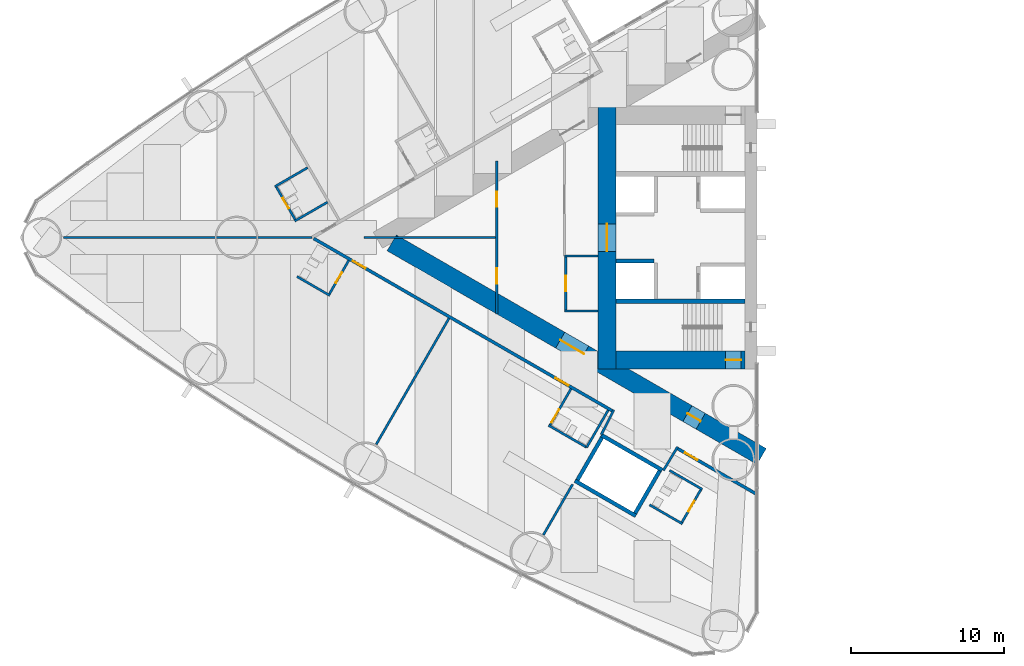
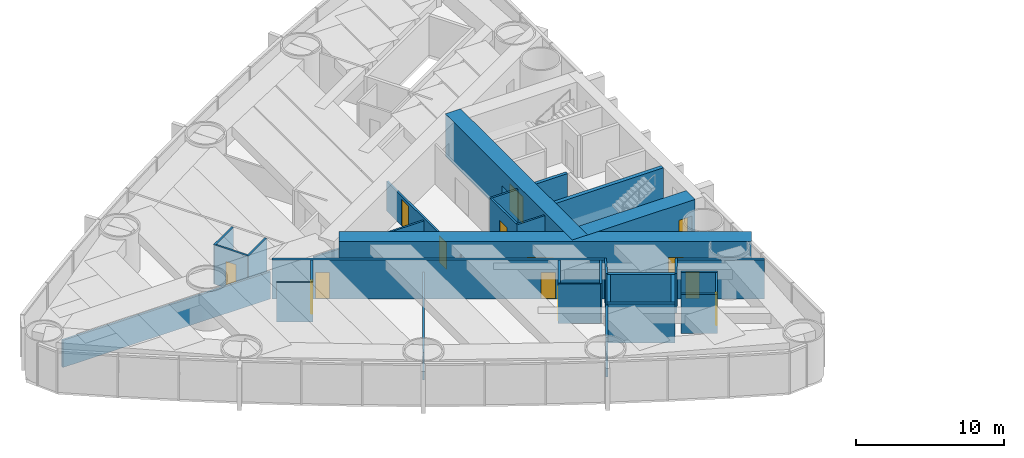
# One storey, part 11 of 19: 32 walls, 14 doors, 14 openings.
"""IFC4 building model written with IfcOpenShell, lengths in metres."""

from ifc_helpers import new_model, si_unit, direction, frame, frame_2d, origin, place, context, subcontext, project, spatial, rectangle, extrude, material, layer, layer_set, type_object, element, fill, save


model = new_model("IFC4")

# Units and contexts
model_context = context("Model", 3, precision=1e-05, world=origin(), true_north=direction((0.0, 1.0)))
body_context = subcontext(model_context, "Body", "Model", "MODEL_VIEW")
ifc_project = project(units=[si_unit("LENGTHUNIT", "METRE"), si_unit("AREAUNIT", "SQUARE_METRE"), si_unit("VOLUMEUNIT", "CUBIC_METRE"), si_unit("PLANEANGLEUNIT", "RADIAN"), si_unit("MASSUNIT", "GRAM", prefix="KILO")], contexts=[model_context])

# Site, building, storey
site_placement = place(None, origin())
site = spatial("IfcSite", under=ifc_project, at=site_placement, CompositionType="ELEMENT")
building_placement = place(site_placement, origin())
building = spatial("IfcBuilding", under=site, at=building_placement, Name="Lancet Gate Hotel", CompositionType="ELEMENT")
storey_placement = place(building_placement, frame((0.0, 0.0, 67.0)))
storey = spatial("IfcBuildingStorey", under=building, at=storey_placement, Name="L17", CompositionType="ELEMENT", Elevation=67.0)

# Wall
ifc_material_1 = material(Name="Moisture resistant board partition")
ifc_layer_1 = layer(ifc_material_1, 0.14990234375)
ifc_layer_set_1 = layer_set([ifc_layer_1], Name="Bathroom wall 150")
wall_type_1 = type_object("IfcWallType", Name="Bathroom wall 150", PredefinedType="PARTITIONING", material=ifc_layer_set_1)
wall_1_placement = place(storey_placement, frame((-56.861083984375, 4.565185546875, 0.0), z_axis=(0.0, 0.0, 1.0), x_axis=(-0.86604923931, -0.499958713387, 0.0)))
element("IfcWall", 1, at=wall_1_placement, inside=storey, type_object=wall_type_1, Name="T1 bathroom wall 150 L17", PredefinedType="PARTITIONING", context=body_context, shape_type="SweptSolid", body=[
    extrude(rectangle(XDim=2.474853515625, YDim=0.14990234375, at=frame_2d((1.2373046875, 0.0))), origin(), (0.0, 0.0, 1.0), 3.25),
])

# Wall, opening, door
wall_2_placement = place(storey_placement, frame((-57.639404296875, 1.113525390625, 0.0), z_axis=(0.0, 0.0, 1.0), x_axis=(-0.500006934395, 0.866021400173, 0.0)))
wall_2 = element("IfcWall", 2, at=wall_2_placement, inside=storey, type_object=wall_type_1, Name="T1 bathroom wall 150 L17", PredefinedType="PARTITIONING", context=body_context, shape_type="SweptSolid", body=[
    extrude(rectangle(XDim=2.60009765625, YDim=0.14990234375, at=frame_2d((1.300048828125, 0.0))), origin(), (0.0, 0.0, 1.0), 3.25),
])
opening_1_placement = place(wall_2_placement, frame((0.89990234375, 0.0, 0.0)))
opening_1 = element("IfcOpeningElement", 3, at=opening_1_placement, cuts=wall_2, Name="Opening 1704-B", PredefinedType="OPENING", context=body_context, shape_type="SweptSolid", body=[
    extrude(rectangle(XDim=0.800048828125, YDim=2.199951171875, at=frame_2d((0.39990234375, 1.10009765625))), frame((0.0, 0.0849609375, 0.0), z_axis=(0.0, -1.0, 0.0), x_axis=(1.0, 0.0, 0.0)), (0.0, 0.0, 1.0), 0.169921875),
])
ifc_material_2 = material(Name="Timber door set", Category="wood")
door_type_1 = type_object("IfcDoorType", Name="Bathroom door 800", OperationType="SINGLE_SWING_RIGHT", PredefinedType="DOOR", material=ifc_material_2)
door_1_placement = place(opening_1_placement, origin())
door_1 = element("IfcDoor", 4, at=door_1_placement, inside=storey, type_object=door_type_1, Name="1704-B", OperationType="SINGLE_SWING_RIGHT", OverallHeight=2.199951171875, OverallWidth=0.800048828125, PredefinedType="DOOR", context=body_context, shape_type="SweptSolid", body=[
    extrude(rectangle(XDim=0.800048828125, YDim=2.199951171875, at=frame_2d((0.39990234375, 1.10009765625))), frame((0.0, 0.02490234375, 0.0), z_axis=(0.0, -1.0, 0.0), x_axis=(1.0, 0.0, 0.0)), (0.0, 0.0, 1.0), 0.050048828125),
])
fill(opening_1, door_1)

# Walls
for number, where, z_axis, x_axis, name in (
    (5, (-55.56103515625, 2.3134765625, 0.0), (0.0, 0.0, 1.0), (-0.86604923931, -0.499958713387, 0.0), "T1 bathroom wall 150 L17"),
    (6, (-55.4111328125, -3.785888671875, 0.0), (0.0, 0.0, 1.0), (-0.866006523861, 0.500032699561, 0.0), "T1 bathroom wall 150 L17"),
):
    element("IfcWall", number, at=place(storey_placement, frame(where, z_axis=z_axis, x_axis=x_axis)), inside=storey, type_object=wall_type_1, Name=name, PredefinedType="PARTITIONING", context=body_context, shape_type="SweptSolid", body=[
        extrude(rectangle(XDim=2.474853515625, YDim=0.14990234375, at=frame_2d((1.2373046875, 0.0))), origin(), (0.0, 0.0, 1.0), 3.25),
    ])

# Wall, opening, door
wall_3_placement = place(storey_placement, frame((-54.176025390625, -1.49658203125, 0.0), z_axis=(0.0, 0.0, 1.0), x_axis=(-0.500006934395, -0.866021400173, 0.0)))
wall_3 = element("IfcWall", 7, at=wall_3_placement, inside=storey, type_object=wall_type_1, Name="T1 bathroom wall 150 L17", PredefinedType="PARTITIONING", context=body_context, shape_type="SweptSolid", body=[
    extrude(rectangle(XDim=2.60009765625, YDim=0.14990234375, at=frame_2d((1.300048828125, 0.0))), origin(), (0.0, 0.0, 1.0), 3.25),
])
opening_2_placement = place(wall_3_placement, frame((0.89990234375, 0.0, 0.0)))
opening_2 = element("IfcOpeningElement", 8, at=opening_2_placement, cuts=wall_3, Name="Opening 1705-B", PredefinedType="OPENING", context=body_context, shape_type="SweptSolid", body=[
    extrude(rectangle(XDim=0.800048828125, YDim=2.199951171875, at=frame_2d((0.39990234375, 1.10009765625))), frame((0.0, 0.0849609375, 0.0), z_axis=(0.0, -1.0, 0.0), x_axis=(1.0, 0.0, 0.0)), (0.0, 0.0, 1.0), 0.169921875),
])
door_2_placement = place(opening_2_placement, origin())
door_2 = element("IfcDoor", 9, at=door_2_placement, inside=storey, type_object=door_type_1, Name="1705-B", OperationType="SINGLE_SWING_RIGHT", OverallHeight=2.199951171875, OverallWidth=0.800048828125, PredefinedType="DOOR", context=body_context, shape_type="SweptSolid", body=[
    extrude(rectangle(XDim=0.800048828125, YDim=2.199951171875, at=frame_2d((0.39990234375, 1.10009765625))), frame((0.0, 0.02490234375, 0.0), z_axis=(0.0, -1.0, 0.0), x_axis=(1.0, 0.0, 0.0)), (0.0, 0.0, 1.0), 0.050048828125),
])
fill(opening_2, door_2)

# Wall
wall_4_placement = place(storey_placement, frame((-38.630126953125, -13.705322265625, 0.0), z_axis=(0.0, 0.0, 1.0), x_axis=(-0.866018712932, 0.500011588718, 0.0)))
element("IfcWall", 10, at=wall_4_placement, inside=storey, type_object=wall_type_1, Name="T1 bathroom wall 150 L17", PredefinedType="PARTITIONING", context=body_context, shape_type="SweptSolid", body=[
    extrude(rectangle(XDim=2.875, YDim=0.14990234375, at=frame_2d((1.4375, 0.0))), origin(), (0.0, 0.0, 1.0), 3.25),
])

# Wall, opening, door
wall_5_placement = place(storey_placement, frame((-39.65478515625, -9.88037109375, 0.0), z_axis=(0.0, 0.0, 1.0), x_axis=(-0.500049511043, -0.865996816683, 0.0)))
wall_5 = element("IfcWall", 11, at=wall_5_placement, inside=storey, type_object=wall_type_1, Name="T1 bathroom wall 150 L17", PredefinedType="PARTITIONING", context=body_context, shape_type="SweptSolid", body=[
    extrude(rectangle(XDim=2.800048828125, YDim=0.14990234375, at=frame_2d((1.39990234375, 0.0))), origin(), (0.0, 0.0, 1.0), 3.25),
])
opening_3_placement = place(wall_5_placement, frame((1.550048828125, 0.0, 0.0)))
opening_3 = element("IfcOpeningElement", 12, at=opening_3_placement, cuts=wall_5, Name="Opening 1707-B", PredefinedType="OPENING", context=body_context, shape_type="SweptSolid", body=[
    extrude(rectangle(XDim=1.0, YDim=2.199951171875, at=frame_2d((0.5, 1.10009765625))), frame((0.0, 0.0849609375, 0.0), z_axis=(0.0, -1.0, 0.0), x_axis=(1.0, 0.0, 0.0)), (0.0, 0.0, 1.0), 0.169921875),
])
ifc_material_3 = material(Name="Timber door set", Category="wood")
door_type_2 = type_object("IfcDoorType", Name="Accessible en-suite door 1000", OperationType="SINGLE_SWING_RIGHT", PredefinedType="DOOR", material=ifc_material_3)
door_3_placement = place(opening_3_placement, origin())
door_3 = element("IfcDoor", 13, at=door_3_placement, inside=storey, type_object=door_type_2, Name="1707-B", OperationType="SINGLE_SWING_RIGHT", OverallHeight=2.199951171875, OverallWidth=1.0, PredefinedType="DOOR", context=body_context, shape_type="SweptSolid", body=[
    extrude(rectangle(XDim=1.0, YDim=2.199951171875, at=frame_2d((0.5, 1.10009765625))), frame((0.0, 0.02490234375, 0.0), z_axis=(0.0, -1.0, 0.0), x_axis=(1.0, 0.0, 0.0)), (0.0, 0.0, 1.0), 0.050048828125),
])
fill(opening_3, door_3)

# Walls
wall_6_placement = place(storey_placement, frame((-37.22998046875, -11.280517578125, 0.0), z_axis=(0.0, 0.0, 1.0), x_axis=(-0.500049511043, -0.865996816683, 0.0)))
element("IfcWall", 14, at=wall_6_placement, inside=storey, type_object=wall_type_1, Name="T1 bathroom wall 150 L17", PredefinedType="PARTITIONING", context=body_context, shape_type="SweptSolid", body=[
    extrude(rectangle(XDim=2.800048828125, YDim=0.14990234375, at=frame_2d((1.39990234375, 0.0))), origin(), (0.0, 0.0, 1.0), 3.25),
])
wall_7_placement = place(storey_placement, frame((-32.3759765625, -18.70166015625, 0.0), z_axis=(0.0, 0.0, 1.0), x_axis=(-0.866006523861, 0.500032699561, 0.0)))
element("IfcWall", 15, at=wall_7_placement, inside=storey, type_object=wall_type_1, Name="T1 bathroom wall 150 L17", PredefinedType="PARTITIONING", context=body_context, shape_type="SweptSolid", body=[
    extrude(rectangle(XDim=2.474853515625, YDim=0.14990234375, at=frame_2d((1.2373046875, 0.0))), origin(), (0.0, 0.0, 1.0), 3.25),
])

# Wall, opening, door
wall_8_placement = place(storey_placement, frame((-31.140869140625, -16.41259765625, 0.0), z_axis=(0.0, 0.0, 1.0), x_axis=(-0.500006934395, -0.866021400173, 0.0)))
wall_8 = element("IfcWall", 16, at=wall_8_placement, inside=storey, type_object=wall_type_1, Name="T1 bathroom wall 150 L17", PredefinedType="PARTITIONING", context=body_context, shape_type="SweptSolid", body=[
    extrude(rectangle(XDim=2.60009765625, YDim=0.14990234375, at=frame_2d((1.300048828125, 0.0))), origin(), (0.0, 0.0, 1.0), 3.25),
])
opening_4_placement = place(wall_8_placement, frame((0.89990234375, 0.0, 0.0)))
opening_4 = element("IfcOpeningElement", 17, at=opening_4_placement, cuts=wall_8, Name="Opening 1708-B", PredefinedType="OPENING", context=body_context, shape_type="SweptSolid", body=[
    extrude(rectangle(XDim=0.800048828125, YDim=2.199951171875, at=frame_2d((0.39990234375, 1.10009765625))), frame((0.0, 0.0849609375, 0.0), z_axis=(0.0, -1.0, 0.0), x_axis=(1.0, 0.0, 0.0)), (0.0, 0.0, 1.0), 0.169921875),
])
door_4_placement = place(opening_4_placement, origin())
door_4 = element("IfcDoor", 18, at=door_4_placement, inside=storey, type_object=door_type_1, Name="1708-B", OperationType="SINGLE_SWING_RIGHT", OverallHeight=2.199951171875, OverallWidth=0.800048828125, PredefinedType="DOOR", context=body_context, shape_type="SweptSolid", body=[
    extrude(rectangle(XDim=0.800048828125, YDim=2.199951171875, at=frame_2d((0.39990234375, 1.10009765625))), frame((0.0, 0.02490234375, 0.0), z_axis=(0.0, -1.0, 0.0), x_axis=(1.0, 0.0, 0.0)), (0.0, 0.0, 1.0), 0.050048828125),
])
fill(opening_4, door_4)

# Wall
wall_9_placement = place(storey_placement, frame((-31.075927734375, -16.449951171875, 0.0), z_axis=(0.0, 0.0, 1.0), x_axis=(-0.866073894602, 0.499916002032, 0.0)))
element("IfcWall", 19, at=wall_9_placement, inside=storey, type_object=wall_type_1, Name="T1 bathroom wall 150 L17", PredefinedType="PARTITIONING", context=body_context, shape_type="SweptSolid", body=[
    extrude(rectangle(XDim=2.47509765625, YDim=0.14990234375, at=frame_2d((1.237548828125, 0.0))), origin(), (0.0, 0.0, 1.0), 3.25),
])

# Wall, openings, doors
ifc_material_4 = material(Name="Concrete C70/85", Category="concrete")
ifc_layer_2 = layer(ifc_material_4, 1.199951171875)
ifc_layer_set_2 = layer_set([ifc_layer_2], Name="Buttress wall 1200")
wall_type_2 = type_object("IfcWallType", Name="Buttress wall 1200", PredefinedType="SHEAR", material=ifc_layer_set_2)
wall_10_placement = place(storey_placement, frame((-27.199951171875, -14.300048828125, 0.0), z_axis=(0.0, 0.0, 1.0), x_axis=(-0.866024021859, 0.500002393557, 0.0)))
wall_10 = element("IfcWall", 20, at=wall_10_placement, inside=storey, type_object=wall_type_2, Name="T1 buttress wall N L17", PredefinedType="SHEAR", context=body_context, shape_type="SweptSolid", body=[
    extrude(rectangle(XDim=27.906982421875, YDim=1.199951171875, at=frame_2d((13.95361328125, 0.0))), origin(), (0.0, 0.0, 1.0), 3.5),
])
opening_5_placement = place(wall_10_placement, frame((4.60009765625, 0.0, 0.0)))
opening_5 = element("IfcOpeningElement", 21, at=opening_5_placement, cuts=wall_10, Name="Opening T1-L17-LN", PredefinedType="OPENING", context=body_context, shape_type="SweptSolid", body=[
    extrude(rectangle(XDim=1.0, YDim=2.199951171875, at=frame_2d((0.5, 1.10009765625))), frame((0.0, 0.60986328125, 0.0), z_axis=(0.0, -1.0, 0.0), x_axis=(1.0, 0.0, 0.0)), (0.0, 0.0, 1.0), 1.219970703125),
])
opening_6_placement = place(wall_10_placement, frame((13.39453125, 0.0, 0.0)))
opening_6 = element("IfcOpeningElement", 22, at=opening_6_placement, cuts=wall_10, Name="Opening T1-L17-LHN", PredefinedType="OPENING", context=body_context, shape_type="SweptSolid", body=[
    extrude(rectangle(XDim=1.800048828125, YDim=2.199951171875, at=frame_2d((0.89990234375, 1.10009765625))), frame((0.0, 0.60986328125, 0.0), z_axis=(0.0, -1.0, 0.0), x_axis=(1.0, 0.0, 0.0)), (0.0, 0.0, 1.0), 1.219970703125),
])
ifc_material_5 = material(Name="Timber door set", Category="wood")
door_type_3 = type_object("IfcDoorType", Name="Lobby double door 1800", OperationType="DOUBLE_DOOR_SINGLE_SWING", PredefinedType="DOOR", material=ifc_material_5)
door_5_placement = place(opening_6_placement, origin())
door_5 = element("IfcDoor", 23, at=door_5_placement, inside=storey, type_object=door_type_3, Name="T1-L17-LHN", OperationType="DOUBLE_DOOR_SINGLE_SWING", OverallHeight=2.199951171875, OverallWidth=1.800048828125, PredefinedType="DOOR", context=body_context, shape_type="SweptSolid", body=[
    extrude(rectangle(XDim=1.800048828125, YDim=2.199951171875, at=frame_2d((0.89990234375, 1.10009765625))), frame((0.0, 0.02490234375, 0.0), z_axis=(0.0, -1.0, 0.0), x_axis=(1.0, 0.0, 0.0)), (0.0, 0.0, 1.0), 0.050048828125),
])
fill(opening_6, door_5)
ifc_material_6 = material(Name="Timber door set", Category="wood")
door_type_4 = type_object("IfcDoorType", Name="Stair lobby door 1000", OperationType="SINGLE_SWING_LEFT", PredefinedType="DOOR", material=ifc_material_6)
door_6_placement = place(opening_5_placement, origin())
door_6 = element("IfcDoor", 24, at=door_6_placement, inside=storey, type_object=door_type_4, Name="T1-L17-LN", OperationType="SINGLE_SWING_LEFT", OverallHeight=2.199951171875, OverallWidth=1.0, PredefinedType="DOOR", context=body_context, shape_type="SweptSolid", body=[
    extrude(rectangle(XDim=1.0, YDim=2.199951171875, at=frame_2d((0.5, 1.10009765625))), frame((0.0, 0.02490234375, 0.0), z_axis=(0.0, -1.0, 0.0), x_axis=(1.0, 0.0, 0.0)), (0.0, 0.0, 1.0), 0.050048828125),
])
fill(opening_5, door_6)

# Wall, opening, door
ifc_material_7 = material(Name="Concrete C70/85", Category="concrete")
ifc_layer_3 = layer(ifc_material_7, 1.199951171875)
ifc_layer_set_3 = layer_set([ifc_layer_3], Name="Core wall 1200")
wall_type_3 = type_object("IfcWallType", Name="Core wall 1200", PredefinedType="SHEAR", material=ifc_layer_set_3)
wall_11_placement = place(storey_placement, frame((-37.300048828125, 8.60009765625, 0.0), z_axis=(0.0, 0.0, 1.0), x_axis=(0.0, -1.0, 0.0)))
wall_11 = element("IfcWall", 25, at=wall_11_placement, inside=storey, type_object=wall_type_3, Name="T1 core wall back L17", PredefinedType="SHEAR", context=body_context, shape_type="SweptSolid", body=[
    extrude(rectangle(XDim=17.2001953125, YDim=1.199951171875, at=frame_2d((8.60009765625, 0.0))), origin(), (0.0, 0.0, 1.0), 3.5),
])
opening_7_placement = place(wall_11_placement, frame((7.699951171875, 0.0, 0.0)))
opening_7 = element("IfcOpeningElement", 26, at=opening_7_placement, cuts=wall_11, Name="Opening T1-L17-LL", PredefinedType="OPENING", context=body_context, shape_type="SweptSolid", body=[
    extrude(rectangle(XDim=1.800048828125, YDim=2.199951171875, at=frame_2d((0.89990234375, 1.10009765625))), frame((0.0, 0.60986328125, 0.0), z_axis=(0.0, -1.0, 0.0), x_axis=(1.0, 0.0, 0.0)), (0.0, 0.0, 1.0), 1.219970703125),
])
door_7_placement = place(opening_7_placement, origin())
door_7 = element("IfcDoor", 27, at=door_7_placement, inside=storey, type_object=door_type_3, Name="T1-L17-LL", OperationType="DOUBLE_DOOR_SINGLE_SWING", OverallHeight=2.199951171875, OverallWidth=1.800048828125, PredefinedType="DOOR", context=body_context, shape_type="SweptSolid", body=[
    extrude(rectangle(XDim=1.800048828125, YDim=2.199951171875, at=frame_2d((0.89990234375, 1.10009765625))), frame((0.0, 0.02490234375, 0.0), z_axis=(0.0, -1.0, 0.0), x_axis=(1.0, 0.0, 0.0)), (0.0, 0.0, 1.0), 0.050048828125),
])
fill(opening_7, door_7)

wall_12_placement = place(storey_placement, frame((-28.300048828125, -8.0, 0.0), z_axis=(0.0, 0.0, 1.0), x_axis=(-1.0, 0.0, 0.0)))
wall_12 = element("IfcWall", 28, at=wall_12_placement, inside=storey, type_object=wall_type_3, Name="T1 core wall side-N L17", PredefinedType="SHEAR", context=body_context, shape_type="SweptSolid", body=[
    extrude(rectangle(XDim=8.39990234375, YDim=1.199951171875, at=frame_2d((4.199951171875, 0.0))), origin(), (0.0, 0.0, 1.0), 3.5),
])
opening_8_placement = place(wall_12_placement, frame((0.25, 0.0, 0.0)))
opening_8 = element("IfcOpeningElement", 29, at=opening_8_placement, cuts=wall_12, Name="Opening T1-L17-ST2", PredefinedType="OPENING", context=body_context, shape_type="SweptSolid", body=[
    extrude(rectangle(XDim=1.0, YDim=2.199951171875, at=frame_2d((0.5, 1.10009765625))), frame((0.0, 0.60986328125, 0.0), z_axis=(0.0, -1.0, 0.0), x_axis=(1.0, 0.0, 0.0)), (0.0, 0.0, 1.0), 1.219970703125),
])
ifc_material_8 = material(Name="Timber door set", Category="wood")
door_type_5 = type_object("IfcDoorType", Name="Stair door 1000", OperationType="SINGLE_SWING_RIGHT", PredefinedType="DOOR", material=ifc_material_8)
door_8_placement = place(opening_8_placement, origin())
door_8 = element("IfcDoor", 30, at=door_8_placement, inside=storey, type_object=door_type_5, Name="T1-L17-ST2", OperationType="SINGLE_SWING_RIGHT", OverallHeight=2.199951171875, OverallWidth=1.0, PredefinedType="DOOR", context=body_context, shape_type="SweptSolid", body=[
    extrude(rectangle(XDim=1.0, YDim=2.199951171875, at=frame_2d((0.5, 1.10009765625))), frame((0.0, 0.02490234375, 0.0), z_axis=(0.0, -1.0, 0.0), x_axis=(1.0, 0.0, 0.0)), (0.0, 0.0, 1.0), 0.050048828125),
])
fill(opening_8, door_8)

ifc_material_9 = material(Name="Gypsum board partition")
ifc_layer_4 = layer(ifc_material_9, 0.199951171875)
ifc_layer_set_4 = layer_set([ifc_layer_4], Name="Corridor wall 200")
wall_type_4 = type_object("IfcWallType", Name="Corridor wall 200", PredefinedType="PARTITIONING", material=ifc_layer_set_4)
wall_13_placement = place(storey_placement, frame((-27.572021484375, -16.740966796875, 0.0), z_axis=(0.0, 0.0, 1.0), x_axis=(-0.866024464444, 0.500001626982, 0.0)))
wall_13 = element("IfcWall", 31, at=wall_13_placement, inside=storey, type_object=wall_type_4, Name="T1 corridor wall 200 L17", PredefinedType="PARTITIONING", context=body_context, shape_type="SweptSolid", body=[
    extrude(rectangle(XDim=5.955078125, YDim=0.199951171875, at=frame_2d((2.9775390625, 0.0))), origin(), (0.0, 0.0, 1.0), 3.25),
])
opening_9_placement = place(wall_13_placement, frame((4.405029296875, 0.0, 0.0)))
opening_9 = element("IfcOpeningElement", 32, at=opening_9_placement, cuts=wall_13, Name="Opening 1708-E", PredefinedType="OPENING", context=body_context, shape_type="SweptSolid", body=[
    extrude(rectangle(XDim=0.949951171875, YDim=2.199951171875, at=frame_2d((0.47509765625, 1.10009765625))), frame((0.0, 0.10986328125, 0.0), z_axis=(0.0, -1.0, 0.0), x_axis=(1.0, 0.0, 0.0)), (0.0, 0.0, 1.0), 0.219970703125),
])
ifc_material_10 = material(Name="Timber door set", Category="wood")
door_type_6 = type_object("IfcDoorType", Name="Guest room entry door 950", OperationType="SINGLE_SWING_LEFT", PredefinedType="DOOR", material=ifc_material_10)
door_9_placement = place(opening_9_placement, origin())
door_9 = element("IfcDoor", 33, at=door_9_placement, inside=storey, type_object=door_type_6, Name="1708-E", OperationType="SINGLE_SWING_LEFT", OverallHeight=2.199951171875, OverallWidth=0.949951171875, PredefinedType="DOOR", context=body_context, shape_type="SweptSolid", body=[
    extrude(rectangle(XDim=0.949951171875, YDim=2.199951171875, at=frame_2d((0.47509765625, 1.10009765625))), frame((0.0, 0.02490234375, 0.0), z_axis=(0.0, -1.0, 0.0), x_axis=(1.0, 0.0, 0.0)), (0.0, 0.0, 1.0), 0.050048828125),
])
fill(opening_9, door_9)

# Wall, openings, doors
wall_14_placement = place(storey_placement, frame((-36.920166015625, -11.34375, 0.0), z_axis=(0.0, 0.0, 1.0), x_axis=(-0.866028313256, 0.499994960614, 0.0)))
wall_14 = element("IfcWall", 34, at=wall_14_placement, inside=storey, type_object=wall_type_4, Name="T1 corridor wall 200 L17", PredefinedType="PARTITIONING", context=body_context, shape_type="SweptSolid", body=[
    extrude(rectangle(XDim=22.567626953125, YDim=0.199951171875, at=frame_2d((11.28369140625, 0.0))), origin(), (0.0, 0.0, 1.0), 3.25),
])
opening_10_placement = place(wall_14_placement, frame((18.667724609375, 0.0, 0.0)))
opening_10 = element("IfcOpeningElement", 35, at=opening_10_placement, cuts=wall_14, Name="Opening 1705-E", PredefinedType="OPENING", context=body_context, shape_type="SweptSolid", body=[
    extrude(rectangle(XDim=0.949951171875, YDim=2.199951171875, at=frame_2d((0.47509765625, 1.10009765625))), frame((0.0, 0.10986328125, 0.0), z_axis=(0.0, -1.0, 0.0), x_axis=(1.0, 0.0, 0.0)), (0.0, 0.0, 1.0), 0.219970703125),
])
opening_11_placement = place(wall_14_placement, frame((3.35009765625, 0.0, 0.0)))
opening_11 = element("IfcOpeningElement", 36, at=opening_11_placement, cuts=wall_14, Name="Opening 1707-E", PredefinedType="OPENING", context=body_context, shape_type="SweptSolid", body=[
    extrude(rectangle(XDim=1.0, YDim=2.199951171875, at=frame_2d((0.5, 1.10009765625))), frame((0.0, 0.10986328125, 0.0), z_axis=(0.0, -1.0, 0.0), x_axis=(1.0, 0.0, 0.0)), (0.0, 0.0, 1.0), 0.219970703125),
])
ifc_material_11 = material(Name="Timber door set", Category="wood")
door_type_7 = type_object("IfcDoorType", Name="Accessible guest room door 1000", OperationType="SINGLE_SWING_LEFT", PredefinedType="DOOR", material=ifc_material_11)
door_10_placement = place(opening_11_placement, origin())
door_10 = element("IfcDoor", 37, at=door_10_placement, inside=storey, type_object=door_type_7, Name="1707-E", OperationType="SINGLE_SWING_LEFT", OverallHeight=2.199951171875, OverallWidth=1.0, PredefinedType="DOOR", context=body_context, shape_type="SweptSolid", body=[
    extrude(rectangle(XDim=1.0, YDim=2.199951171875, at=frame_2d((0.5, 1.10009765625))), frame((0.0, 0.02490234375, 0.0), z_axis=(0.0, -1.0, 0.0), x_axis=(1.0, 0.0, 0.0)), (0.0, 0.0, 1.0), 0.050048828125),
])
fill(opening_11, door_10)
door_11_placement = place(opening_10_placement, origin())
door_11 = element("IfcDoor", 38, at=door_11_placement, inside=storey, type_object=door_type_6, Name="1705-E", OperationType="SINGLE_SWING_LEFT", OverallHeight=2.199951171875, OverallWidth=0.949951171875, PredefinedType="DOOR", context=body_context, shape_type="SweptSolid", body=[
    extrude(rectangle(XDim=0.949951171875, YDim=2.199951171875, at=frame_2d((0.47509765625, 1.10009765625))), frame((0.0, 0.02490234375, 0.0), z_axis=(0.0, -1.0, 0.0), x_axis=(1.0, 0.0, 0.0)), (0.0, 0.0, 1.0), 0.050048828125),
])
fill(opening_10, door_11)

# Walls
ifc_material_12 = material(Name="Gypsum board partition")
ifc_layer_5 = layer(ifc_material_12, 0.25)
ifc_layer_set_5 = layer_set([ifc_layer_5], Name="Lift shaft partition 250")
wall_type_5 = type_object("IfcWallType", Name="Lift shaft partition 250", PredefinedType="PARTITIONING", material=ifc_layer_set_5)
wall_15_placement = place(storey_placement, frame((-33.695556640625, -15.197265625, 0.0), z_axis=(0.0, 0.0, 1.0), x_axis=(-0.865976953817, 0.500083908417, 0.0)))
element("IfcWall", 39, at=wall_15_placement, inside=storey, type_object=wall_type_5, Name="T1 lift shaft wall EX L17", PredefinedType="PARTITIONING", context=body_context, shape_type="SweptSolid", body=[
    extrude(rectangle(XDim=4.599365234375, YDim=0.25, at=frame_2d((2.2998046875, 0.0))), origin(), (0.0, 0.0, 1.0), 3.25),
])
wall_16_placement = place(storey_placement, frame((-35.42041015625, -18.185791015625, 0.0), z_axis=(0.0, 0.0, 1.0), x_axis=(-0.865990227814, 0.50006092162, 0.0)))
element("IfcWall", 40, at=wall_16_placement, inside=storey, type_object=wall_type_5, Name="T1 lift shaft wall EX L17", PredefinedType="PARTITIONING", context=body_context, shape_type="SweptSolid", body=[
    extrude(rectangle(XDim=4.599609375, YDim=0.25, at=frame_2d((2.2998046875, 0.0))), origin(), (0.0, 0.0, 1.0), 3.25),
])
wall_17_placement = place(storey_placement, frame((-33.8662109375, -15.242919921875, 0.0), z_axis=(0.0, 0.0, 1.0), x_axis=(-0.499929347863, -0.866066190972, 0.0)))
element("IfcWall", 41, at=wall_17_placement, inside=storey, type_object=wall_type_5, Name="T1 lift shaft wall EX L17", PredefinedType="PARTITIONING", context=body_context, shape_type="SweptSolid", body=[
    extrude(rectangle(XDim=3.20068359375, YDim=0.25, at=frame_2d((1.600341796875, 0.0))), origin(), (0.0, 0.0, 1.0), 3.25),
])
wall_18_placement = place(storey_placement, frame((-37.6328125, -13.068115234375, 0.0), z_axis=(0.0, 0.0, 1.0), x_axis=(-0.499872130319, -0.866099216793, 0.0)))
element("IfcWall", 42, at=wall_18_placement, inside=storey, type_object=wall_type_5, Name="T1 lift shaft wall EX L17", PredefinedType="PARTITIONING", context=body_context, shape_type="SweptSolid", body=[
    extrude(rectangle(XDim=3.200439453125, YDim=0.25, at=frame_2d((1.60009765625, 0.0))), origin(), (0.0, 0.0, 1.0), 3.25),
])
ifc_material_13 = material(Name="Concrete C50/60", Category="concrete")
ifc_layer_6 = layer(ifc_material_13, 0.25)
ifc_layer_set_6 = layer_set([ifc_layer_6], Name="Lift shaft wall 250")
wall_type_6 = type_object("IfcWallType", Name="Lift shaft wall 250", PredefinedType="SHEAR", material=ifc_layer_set_6)
wall_19_placement = place(storey_placement, frame((-34.25, -1.52490234375, 0.0), z_axis=(0.0, 0.0, 1.0), x_axis=(-1.0, 0.0, 0.0)))
element("IfcWall", 43, at=wall_19_placement, inside=storey, type_object=wall_type_6, Name="T1 core wall pass2-N L17", PredefinedType="SHEAR", context=body_context, shape_type="SweptSolid", body=[
    extrude(rectangle(XDim=2.449951171875, YDim=0.25, at=frame_2d((1.22509765625, 0.0))), origin(), (0.0, 0.0, 1.0), 3.5),
])
ifc_material_14 = material(Name="Gypsum board partition")
ifc_layer_7 = layer(ifc_material_14, 0.14990234375)
ifc_layer_set_7 = layer_set([ifc_layer_7], Name="Party wall 150")
wall_type_7 = type_object("IfcWallType", Name="Party wall 150", PredefinedType="PARTITIONING", material=ifc_layer_set_7)
wall_20_placement = place(storey_placement, frame((-47.626708984375, -5.27783203125, 0.0), z_axis=(0.0, 0.0, 1.0), x_axis=(-0.500009844318, -0.86601972009, 0.0)))
element("IfcWall", 44, at=wall_20_placement, inside=storey, type_object=wall_type_7, Name="T1 party wall 150 L17", PredefinedType="PARTITIONING", context=body_context, shape_type="SweptSolid", body=[
    extrude(rectangle(XDim=9.510498046875, YDim=0.14990234375, at=frame_2d((4.75537109375, 0.0))), origin(), (0.0, 0.0, 1.0), 2.25),
])
wall_21_placement = place(storey_placement, frame((-56.568359375, 0.0, 0.0), z_axis=(0.0, 0.0, 1.0), x_axis=(-1.0, 0.0, 0.0)))
element("IfcWall", 45, at=wall_21_placement, inside=storey, type_object=wall_type_7, Name="T1 party wall 150 L17", PredefinedType="PARTITIONING", context=body_context, shape_type="SweptSolid", body=[
    extrude(rectangle(XDim=16.246826171875, YDim=0.14990234375, at=frame_2d((8.12353515625, 0.0))), origin(), (0.0, 0.0, 1.0), 2.25),
])
wall_22_placement = place(storey_placement, frame((-39.55078125, -16.118408203125, 0.0), z_axis=(0.0, 0.0, 1.0), x_axis=(-0.499986503906, -0.866033195618, 0.0)))
element("IfcWall", 46, at=wall_22_placement, inside=storey, type_object=wall_type_7, Name="T1 party wall 150 L17", PredefinedType="PARTITIONING", context=body_context, shape_type="SweptSolid", body=[
    extrude(rectangle(XDim=3.81494140625, YDim=0.14990234375, at=frame_2d((1.907470703125, 0.0))), origin(), (0.0, 0.0, 1.0), 3.25),
])
ifc_material_15 = material(Name="Gypsum board partition")
ifc_layer_8 = layer(ifc_material_15, 0.14990234375)
ifc_layer_set_8 = layer_set([ifc_layer_8], Name="Service room wall 150")
wall_type_8 = type_object("IfcWallType", Name="Service room wall 150", PredefinedType="PARTITIONING", material=ifc_layer_set_8)
wall_23_placement = place(storey_placement, frame((-36.857177734375, -11.2646484375, 0.0), z_axis=(0.0, 0.0, 1.0), x_axis=(-0.454225294761, -0.890886851176, 0.0)))
element("IfcWall", 47, at=wall_23_placement, inside=storey, type_object=wall_type_8, Name="T1 service room wall 150 L17", PredefinedType="PARTITIONING", context=body_context, shape_type="SweptSolid", body=[
    extrude(rectangle(XDim=1.80712890625, YDim=0.14990234375, at=frame_2d((0.903564453125, 0.0))), origin(), (0.0, 0.0, 1.0), 3.25),
])
wall_24_placement = place(storey_placement, frame((-33.62060546875, -15.217529296875, 0.0), z_axis=(0.0, 0.0, 1.0), x_axis=(0.514336634837, 0.857588377991, 0.0)))
element("IfcWall", 48, at=wall_24_placement, inside=storey, type_object=wall_type_8, Name="T1 service room wall 150 L17", PredefinedType="PARTITIONING", context=body_context, shape_type="SweptSolid", body=[
    extrude(rectangle(XDim=1.80517578125, YDim=0.14990234375, at=frame_2d((0.902587890625, 0.0))), origin(), (0.0, 0.0, 1.0), 3.25),
])
for number, where, z_axis, x_axis, name in (
    (49, (-37.89990234375, -1.199951171875, 0.0), (0.0, 0.0, 1.0), (-1.0, 0.0, 0.0), "T1 service room wall 150 L17"),
    (50, (-37.89990234375, -4.800048828125, 0.0), (0.0, 0.0, 1.0), (-1.0, 0.0, 0.0), "T1 service room wall 150 L17"),
):
    element("IfcWall", number, at=place(storey_placement, frame(where, z_axis=z_axis, x_axis=x_axis)), inside=storey, type_object=wall_type_8, Name=name, PredefinedType="PARTITIONING", context=body_context, shape_type="SweptSolid", body=[
        extrude(rectangle(XDim=2.175048828125, YDim=0.14990234375, at=frame_2d((1.08740234375, 0.0))), origin(), (0.0, 0.0, 1.0), 3.25),
    ])

# Wall, opening, door
wall_25_placement = place(storey_placement, frame((-40.0, -1.125, 0.0), z_axis=(0.0, 0.0, 1.0), x_axis=(0.0, -1.0, 0.0)))
wall_25 = element("IfcWall", 51, at=wall_25_placement, inside=storey, type_object=wall_type_8, Name="T1 service room wall 150 L17", PredefinedType="PARTITIONING", context=body_context, shape_type="SweptSolid", body=[
    extrude(rectangle(XDim=3.75, YDim=0.14990234375, at=frame_2d((1.875, 0.0))), origin(), (0.0, 0.0, 1.0), 3.25),
])
opening_12_placement = place(wall_25_placement, frame((1.375, 0.0, 0.0)))
opening_12 = element("IfcOpeningElement", 52, at=opening_12_placement, cuts=wall_25, Name="Opening T1-L17-HRN0", PredefinedType="OPENING", context=body_context, shape_type="SweptSolid", body=[
    extrude(rectangle(XDim=1.0, YDim=2.199951171875, at=frame_2d((0.5, 1.10009765625))), frame((0.0, 0.0849609375, 0.0), z_axis=(0.0, -1.0, 0.0), x_axis=(1.0, 0.0, 0.0)), (0.0, 0.0, 1.0), 0.169921875),
])
ifc_material_16 = material(Name="Timber door set", Category="wood")
door_type_8 = type_object("IfcDoorType", Name="Service door 1000", OperationType="SINGLE_SWING_LEFT", PredefinedType="DOOR", material=ifc_material_16)
door_12_placement = place(opening_12_placement, origin())
door_12 = element("IfcDoor", 53, at=door_12_placement, inside=storey, type_object=door_type_8, Name="T1-L17-HRN0", OperationType="SINGLE_SWING_LEFT", OverallHeight=2.199951171875, OverallWidth=1.0, PredefinedType="DOOR", context=body_context, shape_type="SweptSolid", body=[
    extrude(rectangle(XDim=1.0, YDim=2.199951171875, at=frame_2d((0.5, 1.10009765625))), frame((0.0, 0.02490234375, 0.0), z_axis=(0.0, -1.0, 0.0), x_axis=(1.0, 0.0, 0.0)), (0.0, 0.0, 1.0), 0.050048828125),
])
fill(opening_12, door_12)

# Wall, openings, doors
wall_26_placement = place(storey_placement, frame((-44.5, 5.004638671875, 0.0), z_axis=(0.0, 0.0, 1.0), x_axis=(0.0, -1.0, 0.0)))
wall_26 = element("IfcWall", 54, at=wall_26_placement, inside=storey, type_object=wall_type_8, Name="T1 service room wall 150 L17", PredefinedType="PARTITIONING", context=body_context, shape_type="SweptSolid", body=[
    extrude(rectangle(XDim=10.00927734375, YDim=0.14990234375, at=frame_2d((5.004638671875, 0.0))), origin(), (0.0, 0.0, 1.0), 2.449951171875),
])
opening_13_placement = place(wall_26_placement, frame((2.002197265625, 0.0, 0.0)))
opening_13 = element("IfcOpeningElement", 55, at=opening_13_placement, cuts=wall_26, Name="Opening T1-L17-SV", PredefinedType="OPENING", context=body_context, shape_type="SweptSolid", body=[
    extrude(rectangle(XDim=1.0, YDim=2.199951171875, at=frame_2d((0.5, 1.10009765625))), frame((0.0, 0.0849609375, 0.0), z_axis=(0.0, -1.0, 0.0), x_axis=(1.0, 0.0, 0.0)), (0.0, 0.0, 1.0), 0.169921875),
])
opening_14_placement = place(wall_26_placement, frame((7.0068359375, 0.0, 0.0)))
opening_14 = element("IfcOpeningElement", 56, at=opening_14_placement, cuts=wall_26, Name="Opening T1-L17-SV2", PredefinedType="OPENING", context=body_context, shape_type="SweptSolid", body=[
    extrude(rectangle(XDim=1.0, YDim=2.199951171875, at=frame_2d((0.5, 1.10009765625))), frame((0.0, 0.0849609375, 0.0), z_axis=(0.0, -1.0, 0.0), x_axis=(1.0, 0.0, 0.0)), (0.0, 0.0, 1.0), 0.169921875),
])
door_13_placement = place(opening_13_placement, origin())
door_13 = element("IfcDoor", 57, at=door_13_placement, inside=storey, type_object=door_type_8, Name="T1-L17-SV", OperationType="SINGLE_SWING_LEFT", OverallHeight=2.199951171875, OverallWidth=1.0, PredefinedType="DOOR", context=body_context, shape_type="SweptSolid", body=[
    extrude(rectangle(XDim=1.0, YDim=2.199951171875, at=frame_2d((0.5, 1.10009765625))), frame((0.0, 0.02490234375, 0.0), z_axis=(0.0, -1.0, 0.0), x_axis=(1.0, 0.0, 0.0)), (0.0, 0.0, 1.0), 0.050048828125),
])
fill(opening_13, door_13)
door_14_placement = place(opening_14_placement, origin())
door_14 = element("IfcDoor", 58, at=door_14_placement, inside=storey, type_object=door_type_8, Name="T1-L17-SV2", OperationType="SINGLE_SWING_LEFT", OverallHeight=2.199951171875, OverallWidth=1.0, PredefinedType="DOOR", context=body_context, shape_type="SweptSolid", body=[
    extrude(rectangle(XDim=1.0, YDim=2.199951171875, at=frame_2d((0.5, 1.10009765625))), frame((0.0, 0.02490234375, 0.0), z_axis=(0.0, -1.0, 0.0), x_axis=(1.0, 0.0, 0.0)), (0.0, 0.0, 1.0), 0.050048828125),
])
fill(opening_14, door_14)

# Walls
wall_27_placement = place(storey_placement, frame((-44.574951171875, 0.0, 0.0), z_axis=(0.0, 0.0, 1.0), x_axis=(-1.0, 0.0, 0.0)))
element("IfcWall", 59, at=wall_27_placement, inside=storey, type_object=wall_type_8, Name="T1 service room wall 150 L17", PredefinedType="PARTITIONING", context=body_context, shape_type="SweptSolid", body=[
    extrude(rectangle(XDim=8.59326171875, YDim=0.14990234375, at=frame_2d((4.296630859375, 0.0))), origin(), (0.0, 0.0, 1.0), 2.25),
])
ifc_material_17 = material(Name="Concrete C50/60", Category="concrete")
ifc_layer_9 = layer(ifc_material_17, 0.300048828125)
ifc_layer_set_9 = layer_set([ifc_layer_9], Name="Stair enclosure wall 300")
wall_type_9 = type_object("IfcWallType", Name="Stair enclosure wall 300", PredefinedType="SHEAR", material=ifc_layer_set_9)
wall_28_placement = place(storey_placement, frame((-28.300048828125, -4.14990234375, 0.0), z_axis=(0.0, 0.0, 1.0), x_axis=(-1.0, 0.0, 0.0)))
element("IfcWall", 60, at=wall_28_placement, inside=storey, type_object=wall_type_9, Name="T1 core wall stair-N L17", PredefinedType="SHEAR", context=body_context, shape_type="SweptSolid", body=[
    extrude(rectangle(XDim=8.39990234375, YDim=0.300048828125, at=frame_2d((4.199951171875, 0.0))), origin(), (0.0, 0.0, 1.0), 3.5),
])

save(model, "model.ifc")
